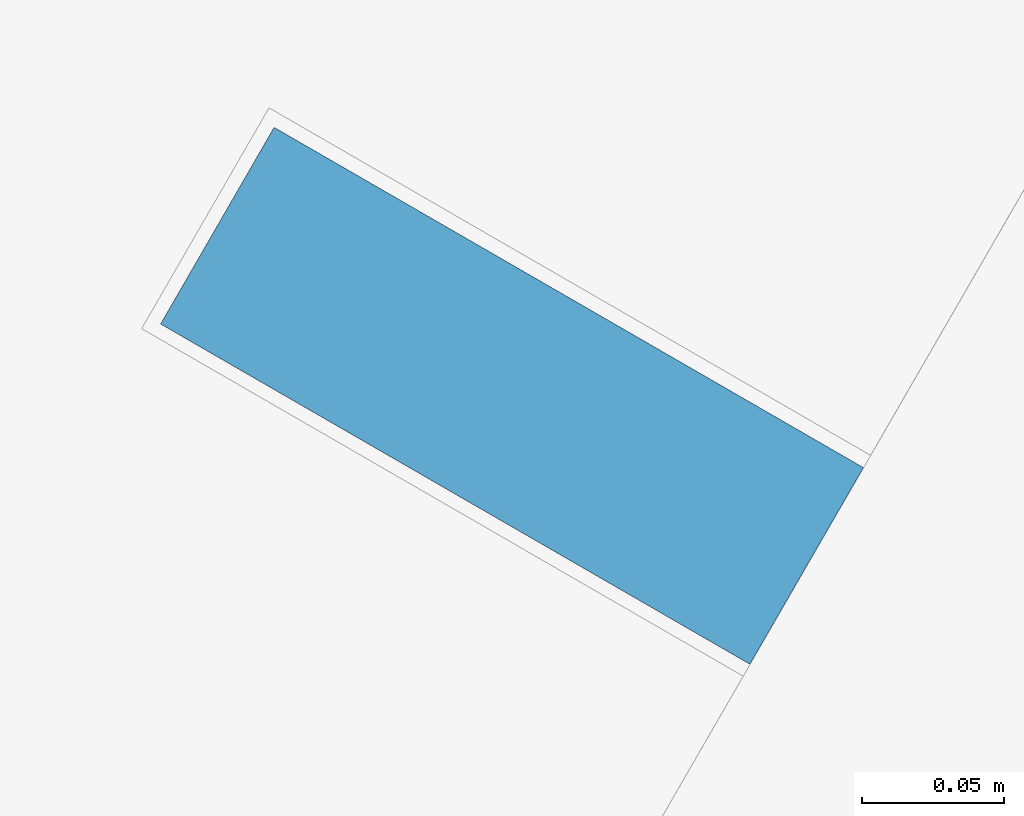
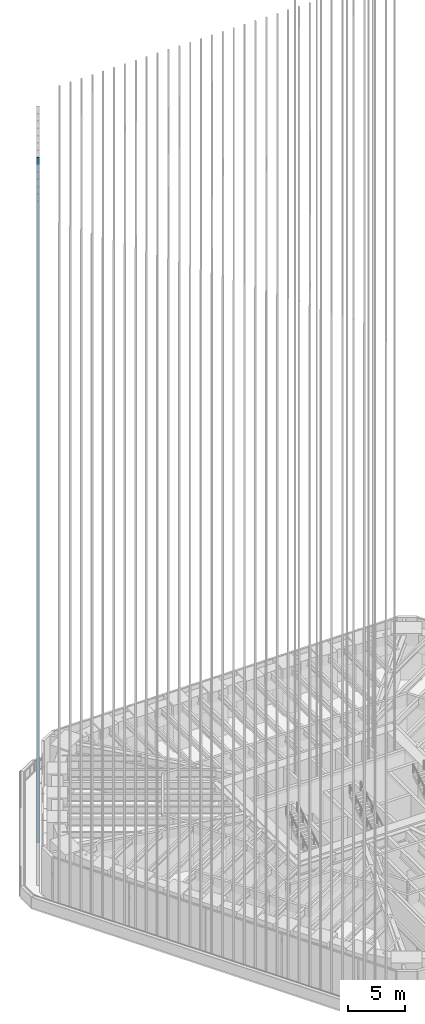
# One storey, part 142 of 228: 1 member, 1 element without a shape of its own.
"""IFC4 building model written with IfcOpenShell, lengths in metres."""

from ifc_helpers import new_model, si_unit, direction, frame, origin, origin_2d, place, context, subcontext, project, spatial, rectangle, extrude, material, material_profile, profile_set, type_object, element, aggregate, save


model = new_model("IFC4")

# Units and contexts
model_context = context("Model", 3, precision=1e-05, world=origin(), true_north=direction((0.0, 1.0)))
body_context = subcontext(model_context, "Body", "Model", "MODEL_VIEW")
ifc_project = project(units=[si_unit("LENGTHUNIT", "METRE"), si_unit("AREAUNIT", "SQUARE_METRE"), si_unit("VOLUMEUNIT", "CUBIC_METRE"), si_unit("PLANEANGLEUNIT", "RADIAN"), si_unit("MASSUNIT", "GRAM", prefix="KILO")], contexts=[model_context])

# Site, building, storey
site_placement = place(None, origin())
site = spatial("IfcSite", under=ifc_project, at=site_placement, CompositionType="ELEMENT")
building_placement = place(site_placement, origin())
building = spatial("IfcBuilding", under=site, at=building_placement, Name="Sandreach Pilgrim Tower", CompositionType="ELEMENT")
storey_placement = place(building_placement, frame((0.0, 0.0, 178.199951171875)))
storey = spatial("IfcBuildingStorey", under=building, at=storey_placement, Name="L44", CompositionType="ELEMENT", Elevation=178.199951171875)

# Curtain wall, member
ifc_material_1 = material(Name="Aluminium framed curtain wall", Category="aluminium")
curtain_wall_type = type_object("IfcCurtainWallType", Name="Upper hotel tower curtain wall", PredefinedType="NOTDEFINED", material=ifc_material_1)
curtain_wall_placement = place(storey_placement, origin())
curtain_wall = element("IfcCurtainWall", 1, at=curtain_wall_placement, inside=storey, type_object=curtain_wall_type, Name="CW-3 L44 NW", PredefinedType="NOTDEFINED")
ifc_material_2 = material(Name="Extruded terracotta on aluminium core", Category="masonry")
ifc_material_profile = material_profile(ifc_material_2, rectangle(XDim=0.080078125, YDim=0.239990234375, at=origin_2d()), Name="TBW 80X240")
ifc_profile_set = profile_set([ifc_material_profile], Name="Extruded terracotta on aluminium core")
member_type = type_object("IfcMemberType", Name="Terracotta baguette west", PredefinedType="USERDEFINED", material=ifc_profile_set)
member_placement = place(storey_placement, frame((-23.61328125, 12.990966796875, 0.0), z_axis=(0.0, 0.0, 1.0), x_axis=(0.5, 0.866025403784, 0.0)))
member = element("IfcMember", 2, at=member_placement, type_object=member_type, Name="Baguette Z3 NW07", ObjectType="BAGUETTE", PredefinedType="USERDEFINED", context=body_context, shape_type="SweptSolid", body=[
    extrude(rectangle(XDim=0.080078125, YDim=0.239990234375, at=origin_2d()), origin(), (0.0, 0.0, 1.0), 73.239990234375),
])
aggregate(curtain_wall, [member])

save(model, "model.ifc")
